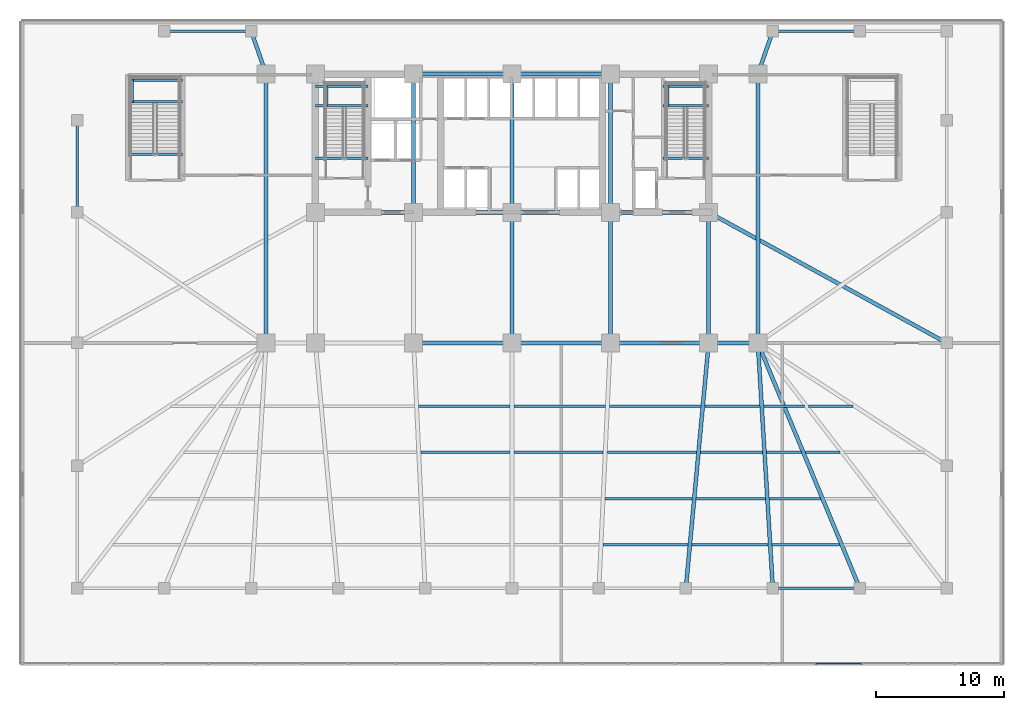
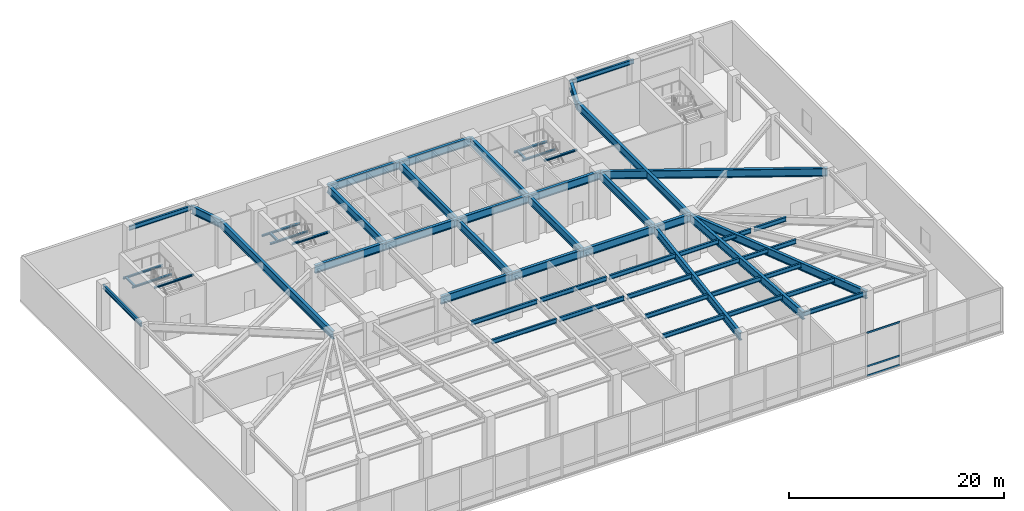
# One storey, part 9 of 19: 58 beams, 3 members, 1 element without a shape of its own.
"""IFC4 building model written with IfcOpenShell, lengths in metres."""

from ifc_helpers import new_model, si_unit, direction, frame, origin, origin_2d, place, context, subcontext, project, spatial, hollow_rectangle, i_section, extrude, material, material_profile, profile_set, type_object, element, aggregate, save


model = new_model("IFC4")

# Units and contexts
model_context = context("Model", 3, precision=1e-05, world=origin(), true_north=direction((0.0, 1.0)))
body_context = subcontext(model_context, "Body", "Model", "MODEL_VIEW")
ifc_project = project(units=[si_unit("LENGTHUNIT", "METRE"), si_unit("AREAUNIT", "SQUARE_METRE"), si_unit("VOLUMEUNIT", "CUBIC_METRE"), si_unit("PLANEANGLEUNIT", "RADIAN"), si_unit("MASSUNIT", "GRAM", prefix="KILO")], contexts=[model_context])

# Site, building, storey
site_placement = place(None, origin())
site = spatial("IfcSite", under=ifc_project, at=site_placement, CompositionType="ELEMENT")
building_placement = place(site_placement, origin())
building = spatial("IfcBuilding", under=site, at=building_placement, Name="Yelkora Congress Tower", CompositionType="ELEMENT")
storey_placement = place(building_placement, frame((0.0, 0.0, 5.199951171875)))
storey = spatial("IfcBuildingStorey", under=building, at=storey_placement, Name="L01", CompositionType="ELEMENT", Elevation=5.199951171875)

# Beams
ifc_material_1 = material(Name="Steel S460M", Category="steel")
ifc_material_profile_1 = material_profile(ifc_material_1, i_section(OverallWidth=0.302001953125, OverallDepth=0.909912109375, WebThickness=0.02099609375, FlangeThickness=0.0400390625, FilletRadius=0.030029296875, at=origin_2d()), Name="HEM 900")
ifc_profile_set_1 = profile_set([ifc_material_profile_1], Name="Steel S460M")
beam_type_1 = type_object("IfcBeamType", Name="BM-HALL-HEM900", PredefinedType="BEAM", material=ifc_profile_set_1)
beam_1_placement = place(storey_placement, frame((30.719970703125, 25.199951171875, 4.485107421875), z_axis=(1.0, 0.0, 0.0), x_axis=(0.0, 1.0, 0.0)))
element("IfcBeam", 1, at=beam_1_placement, inside=storey, type_object=beam_type_1, Name="L01 Spine Grid D Girder 3", PredefinedType="BEAM", context=body_context, shape_type="SweptSolid", body=[
    extrude(i_section(OverallWidth=0.302001953125, OverallDepth=0.909912109375, WebThickness=0.02099609375, FlangeThickness=0.0400390625, FilletRadius=0.030029296875, at=origin_2d()), origin(), (0.0, 0.0, 1.0), 7.679931640625),
])
beam_2_placement = place(storey_placement, frame((38.39990234375, 25.199951171875, 4.485107421875), z_axis=(1.0, 0.0, 0.0), x_axis=(0.0, 1.0, 0.0)))
element("IfcBeam", 2, at=beam_2_placement, inside=storey, type_object=beam_type_1, Name="L01 Spine Grid D Girder 4", PredefinedType="BEAM", context=body_context, shape_type="SweptSolid", body=[
    extrude(i_section(OverallWidth=0.302001953125, OverallDepth=0.909912109375, WebThickness=0.02099609375, FlangeThickness=0.0400390625, FilletRadius=0.030029296875, at=origin_2d()), origin(), (0.0, 0.0, 1.0), 7.68017578125),
])
beam_3_placement = place(storey_placement, frame((46.080078125, 25.199951171875, 4.485107421875), z_axis=(1.0, 0.0, 0.0), x_axis=(0.0, 1.0, 0.0)))
element("IfcBeam", 3, at=beam_3_placement, inside=storey, type_object=beam_type_1, Name="L01 Spine Grid D Girder 5", PredefinedType="BEAM", context=body_context, shape_type="SweptSolid", body=[
    extrude(i_section(OverallWidth=0.302001953125, OverallDepth=0.909912109375, WebThickness=0.02099609375, FlangeThickness=0.0400390625, FilletRadius=0.030029296875, at=origin_2d()), origin(), (0.0, 0.0, 1.0), 7.679931640625),
])
beam_4_placement = place(storey_placement, frame((53.760009765625, 25.199951171875, 4.485107421875), z_axis=(1.0, 0.0, 0.0), x_axis=(0.0, 1.0, 0.0)))
element("IfcBeam", 4, at=beam_4_placement, inside=storey, type_object=beam_type_1, Name="L01 Spine Grid D Girder 6", PredefinedType="BEAM", context=body_context, shape_type="SweptSolid", body=[
    extrude(i_section(OverallWidth=0.302001953125, OverallDepth=0.909912109375, WebThickness=0.02099609375, FlangeThickness=0.0400390625, FilletRadius=0.030029296875, at=origin_2d()), origin(), (0.0, 0.0, 1.0), 3.840087890625),
])
beam_5_placement = place(storey_placement, frame((30.719970703125, 46.199951171875, 4.485107421875), z_axis=(1.0, 0.0, 0.0), x_axis=(0.0, 1.0, 0.0)))
element("IfcBeam", 5, at=beam_5_placement, inside=storey, type_object=beam_type_1, Name="L01 Core North Girder 3", PredefinedType="BEAM", context=body_context, shape_type="SweptSolid", body=[
    extrude(i_section(OverallWidth=0.302001953125, OverallDepth=0.909912109375, WebThickness=0.02099609375, FlangeThickness=0.0400390625, FilletRadius=0.030029296875, at=origin_2d()), origin(), (0.0, 0.0, 1.0), 7.679931640625),
])
beam_6_placement = place(storey_placement, frame((38.39990234375, 46.199951171875, 4.485107421875), z_axis=(1.0, 0.0, 0.0), x_axis=(0.0, 1.0, 0.0)))
element("IfcBeam", 6, at=beam_6_placement, inside=storey, type_object=beam_type_1, Name="L01 Core North Girder 4", PredefinedType="BEAM", context=body_context, shape_type="SweptSolid", body=[
    extrude(i_section(OverallWidth=0.302001953125, OverallDepth=0.909912109375, WebThickness=0.02099609375, FlangeThickness=0.0400390625, FilletRadius=0.030029296875, at=origin_2d()), origin(), (0.0, 0.0, 1.0), 7.68017578125),
])
for number, where, z_axis, x_axis, name in (
    (7, (23.0400390625, 35.39990234375, 4.485107421875), (1.0, 0.0, 0.0), (0.0, 1.0, 0.0), "L01 Core South Girder 1"),
    (8, (30.719970703125, 35.39990234375, 4.485107421875), (1.0, 0.0, 0.0), (0.0, 1.0, 0.0), "L01 Core South Girder 2"),
):
    element("IfcBeam", number, at=place(storey_placement, frame(where, z_axis=z_axis, x_axis=x_axis)), inside=storey, type_object=beam_type_1, Name=name, PredefinedType="BEAM", context=body_context, shape_type="SweptSolid", body=[
        extrude(i_section(OverallWidth=0.302001953125, OverallDepth=0.909912109375, WebThickness=0.02099609375, FlangeThickness=0.0400390625, FilletRadius=0.030029296875, at=origin_2d()), origin(), (0.0, 0.0, 1.0), 7.679931640625),
    ])
beam_7_placement = place(storey_placement, frame((38.39990234375, 35.39990234375, 4.485107421875), z_axis=(1.0, 0.0, 0.0), x_axis=(0.0, 1.0, 0.0)))
element("IfcBeam", 9, at=beam_7_placement, inside=storey, type_object=beam_type_1, Name="L01 Core South Girder 3", PredefinedType="BEAM", context=body_context, shape_type="SweptSolid", body=[
    extrude(i_section(OverallWidth=0.302001953125, OverallDepth=0.909912109375, WebThickness=0.02099609375, FlangeThickness=0.0400390625, FilletRadius=0.030029296875, at=origin_2d()), origin(), (0.0, 0.0, 1.0), 7.68017578125),
])
beam_8_placement = place(storey_placement, frame((46.080078125, 35.39990234375, 4.485107421875), z_axis=(1.0, 0.0, 0.0), x_axis=(0.0, 1.0, 0.0)))
element("IfcBeam", 10, at=beam_8_placement, inside=storey, type_object=beam_type_1, Name="L01 Core South Girder 4", PredefinedType="BEAM", context=body_context, shape_type="SweptSolid", body=[
    extrude(i_section(OverallWidth=0.302001953125, OverallDepth=0.909912109375, WebThickness=0.02099609375, FlangeThickness=0.0400390625, FilletRadius=0.030029296875, at=origin_2d()), origin(), (0.0, 0.0, 1.0), 7.679931640625),
])
beam_9_placement = place(storey_placement, frame((30.719970703125, 35.39990234375, 4.485107421875), z_axis=(0.0, 1.0, 0.0), x_axis=(-1.0, 0.0, 0.0)))
element("IfcBeam", 11, at=beam_9_placement, inside=storey, type_object=beam_type_1, Name="L01 Core Tie Girder MC-S2", PredefinedType="BEAM", context=body_context, shape_type="SweptSolid", body=[
    extrude(i_section(OverallWidth=0.302001953125, OverallDepth=0.909912109375, WebThickness=0.02099609375, FlangeThickness=0.0400390625, FilletRadius=0.030029296875, at=origin_2d()), origin(), (0.0, 0.0, 1.0), 10.800048828125),
])
beam_10_placement = place(storey_placement, frame((38.39990234375, 25.199951171875, 4.485107421875), z_axis=(0.0, 1.0, 0.0), x_axis=(-1.0, 0.0, 0.0)))
element("IfcBeam", 12, at=beam_10_placement, inside=storey, type_object=beam_type_1, Name="L01 Core Tie Girder MC-D3", PredefinedType="BEAM", context=body_context, shape_type="SweptSolid", body=[
    extrude(i_section(OverallWidth=0.302001953125, OverallDepth=0.909912109375, WebThickness=0.02099609375, FlangeThickness=0.0400390625, FilletRadius=0.030029296875, at=origin_2d()), origin(), (0.0, 0.0, 1.0), 10.199951171875),
])
beam_11_placement = place(storey_placement, frame((38.39990234375, 35.39990234375, 4.485107421875), z_axis=(0.0, 1.0, 0.0), x_axis=(-1.0, 0.0, 0.0)))
element("IfcBeam", 13, at=beam_11_placement, inside=storey, type_object=beam_type_1, Name="L01 Core Tie Girder MC-S3", PredefinedType="BEAM", context=body_context, shape_type="SweptSolid", body=[
    extrude(i_section(OverallWidth=0.302001953125, OverallDepth=0.909912109375, WebThickness=0.02099609375, FlangeThickness=0.0400390625, FilletRadius=0.030029296875, at=origin_2d()), origin(), (0.0, 0.0, 1.0), 10.800048828125),
])
beam_12_placement = place(storey_placement, frame((46.080078125, 25.199951171875, 4.485107421875), z_axis=(0.0, 1.0, 0.0), x_axis=(-1.0, 0.0, 0.0)))
element("IfcBeam", 14, at=beam_12_placement, inside=storey, type_object=beam_type_1, Name="L01 Core Tie Girder MC-D4", PredefinedType="BEAM", context=body_context, shape_type="SweptSolid", body=[
    extrude(i_section(OverallWidth=0.302001953125, OverallDepth=0.909912109375, WebThickness=0.02099609375, FlangeThickness=0.0400390625, FilletRadius=0.030029296875, at=origin_2d()), origin(), (0.0, 0.0, 1.0), 10.199951171875),
])
beam_13_placement = place(storey_placement, frame((46.080078125, 35.39990234375, 4.485107421875), z_axis=(0.0, 1.0, 0.0), x_axis=(-1.0, 0.0, 0.0)))
element("IfcBeam", 15, at=beam_13_placement, inside=storey, type_object=beam_type_1, Name="L01 Core Tie Girder MC-S4", PredefinedType="BEAM", context=body_context, shape_type="SweptSolid", body=[
    extrude(i_section(OverallWidth=0.302001953125, OverallDepth=0.909912109375, WebThickness=0.02099609375, FlangeThickness=0.0400390625, FilletRadius=0.030029296875, at=origin_2d()), origin(), (0.0, 0.0, 1.0), 10.800048828125),
])
beam_14_placement = place(storey_placement, frame((53.760009765625, 25.199951171875, 4.485107421875), z_axis=(0.0, 1.0, 0.0), x_axis=(-1.0, 0.0, 0.0)))
element("IfcBeam", 16, at=beam_14_placement, inside=storey, type_object=beam_type_1, Name="L01 Core Tie Girder MC-D5", PredefinedType="BEAM", context=body_context, shape_type="SweptSolid", body=[
    extrude(i_section(OverallWidth=0.302001953125, OverallDepth=0.909912109375, WebThickness=0.02099609375, FlangeThickness=0.0400390625, FilletRadius=0.030029296875, at=origin_2d()), origin(), (0.0, 0.0, 1.0), 10.199951171875),
])
for number, where, z_axis, x_axis, name in (
    (17, (19.199951171875, 25.199951171875, 4.485107421875), (0.0, 1.0, 0.0), (-1.0, 0.0, 0.0), "L01 Neck Flank Girder MC-F1"),
    (18, (57.60009765625, 25.199951171875, 4.485107421875), (0.0, 1.0, 0.0), (-1.0, 0.0, 0.0), "L01 Neck Flank Girder MC-F2"),
):
    element("IfcBeam", number, at=place(storey_placement, frame(where, z_axis=z_axis, x_axis=x_axis)), inside=storey, type_object=beam_type_1, Name=name, PredefinedType="BEAM", context=body_context, shape_type="SweptSolid", body=[
        extrude(i_section(OverallWidth=0.302001953125, OverallDepth=0.909912109375, WebThickness=0.02099609375, FlangeThickness=0.0400390625, FilletRadius=0.030029296875, at=origin_2d()), origin(), (0.0, 0.0, 1.0), 21.0),
    ])
beam_15_placement = place(storey_placement, frame((18.030029296875, 49.550048828125, 4.485107421875), z_axis=(0.329694513381, -0.944087669577, 0.0), x_axis=(0.944087669577, 0.329694513381, 0.0)))
element("IfcBeam", 19, at=beam_15_placement, inside=storey, type_object=beam_type_1, Name="L01 Primary Frame Girder PN03", PredefinedType="BEAM", context=body_context, shape_type="SweptSolid", body=[
    extrude(i_section(OverallWidth=0.302001953125, OverallDepth=0.909912109375, WebThickness=0.02099609375, FlangeThickness=0.0400390625, FilletRadius=0.030029296875, at=origin_2d()), origin(), (0.0, 0.0, 1.0), 3.548583984375),
])
beam_16_placement = place(storey_placement, frame((51.97998046875, 6.050048828125, 4.485107421875), z_axis=(0.092553417869, 0.995707720589, 0.0), x_axis=(-0.995707720589, 0.092553417869, 0.0)))
element("IfcBeam", 20, at=beam_16_placement, inside=storey, type_object=beam_type_1, Name="L01 Primary Frame Girder PS08", PredefinedType="BEAM", context=body_context, shape_type="SweptSolid", body=[
    extrude(i_section(OverallWidth=0.302001953125, OverallDepth=0.909912109375, WebThickness=0.02099609375, FlangeThickness=0.0400390625, FilletRadius=0.030029296875, at=origin_2d()), origin(), (0.0, 0.0, 1.0), 19.232421875),
])
beam_17_placement = place(storey_placement, frame((58.77001953125, 6.050048828125, 4.485107421875), z_axis=(-0.060979146345, 0.99813904027, 0.0), x_axis=(-0.99813904027, -0.060979146345, 0.0)))
element("IfcBeam", 21, at=beam_17_placement, inside=storey, type_object=beam_type_1, Name="L01 Primary Frame Girder PS09", PredefinedType="BEAM", context=body_context, shape_type="SweptSolid", body=[
    extrude(i_section(OverallWidth=0.302001953125, OverallDepth=0.909912109375, WebThickness=0.02099609375, FlangeThickness=0.0400390625, FilletRadius=0.030029296875, at=origin_2d()), origin(), (0.0, 0.0, 1.0), 19.185546875),
])
beam_18_placement = place(storey_placement, frame((58.77001953125, 49.550048828125, 4.485107421875), z_axis=(-0.329694513381, -0.944087669577, 0.0), x_axis=(0.944087669577, -0.329694513381, 0.0)))
element("IfcBeam", 22, at=beam_18_placement, inside=storey, type_object=beam_type_1, Name="L01 Primary Frame Girder PN09", PredefinedType="BEAM", context=body_context, shape_type="SweptSolid", body=[
    extrude(i_section(OverallWidth=0.302001953125, OverallDepth=0.909912109375, WebThickness=0.02099609375, FlangeThickness=0.0400390625, FilletRadius=0.030029296875, at=origin_2d()), origin(), (0.0, 0.0, 1.0), 3.548583984375),
])
beam_19_placement = place(storey_placement, frame((65.56005859375, 6.050048828125, 4.485107421875), z_axis=(-0.383827816401, 0.923404682334, 0.0), x_axis=(-0.923404682334, -0.383827816401, 0.0)))
element("IfcBeam", 23, at=beam_19_placement, inside=storey, type_object=beam_type_1, Name="L01 Primary Frame Girder PS10", PredefinedType="BEAM", context=body_context, shape_type="SweptSolid", body=[
    extrude(i_section(OverallWidth=0.302001953125, OverallDepth=0.909912109375, WebThickness=0.02099609375, FlangeThickness=0.0400390625, FilletRadius=0.030029296875, at=origin_2d()), origin(), (0.0, 0.0, 1.0), 20.73828125),
])
beam_20_placement = place(storey_placement, frame((72.35009765625, 25.199951171875, 4.485107421875), z_axis=(-0.876705282536, 0.48102790727, 0.0), x_axis=(-0.48102790727, -0.876705282536, 0.0)))
element("IfcBeam", 24, at=beam_20_placement, inside=storey, type_object=beam_type_1, Name="L01 Primary Frame Girder PE2", PredefinedType="BEAM", context=body_context, shape_type="SweptSolid", body=[
    extrude(i_section(OverallWidth=0.302001953125, OverallDepth=0.909912109375, WebThickness=0.02099609375, FlangeThickness=0.0400390625, FilletRadius=0.030029296875, at=origin_2d()), origin(), (0.0, 0.0, 1.0), 21.20458984375),
])
ifc_material_2 = material(Name="Steel S355J2", Category="steel")
ifc_material_profile_2 = material_profile(ifc_material_2, i_section(OverallWidth=0.199951171875, OverallDepth=0.5, WebThickness=0.01025390625, FlangeThickness=0.01611328125, FilletRadius=0.02099609375, at=origin_2d()), Name="IPE 500")
ifc_profile_set_2 = profile_set([ifc_material_profile_2], Name="Steel S355J2")
beam_type_2 = type_object("IfcBeamType", Name="BM-JOIST-IPE500", PredefinedType="JOIST", material=ifc_profile_set_2)
beam_21_placement = place(storey_placement, frame((45.508056640625, 9.449951171875, 4.68994140625), z_axis=(1.0, 0.0, 0.0), x_axis=(0.0, 1.0, 0.0)))
element("IfcBeam", 25, at=beam_21_placement, inside=storey, type_object=beam_type_2, Name="L01 Composite Floor Joist 7", PredefinedType="JOIST", context=body_context, shape_type="SweptSolid", body=[
    extrude(i_section(OverallWidth=0.199951171875, OverallDepth=0.5, WebThickness=0.01025390625, FlangeThickness=0.01611328125, FilletRadius=0.02099609375, at=origin_2d()), origin(), (0.0, 0.0, 1.0), 6.6279296875),
])
beam_22_placement = place(storey_placement, frame((52.4560546875, 9.449951171875, 4.68994140625), z_axis=(1.0, 0.0, 0.0), x_axis=(0.0, 1.0, 0.0)))
element("IfcBeam", 26, at=beam_22_placement, inside=storey, type_object=beam_type_2, Name="L01 Composite Floor Joist 8", PredefinedType="JOIST", context=body_context, shape_type="SweptSolid", body=[
    extrude(i_section(OverallWidth=0.199951171875, OverallDepth=0.5, WebThickness=0.01025390625, FlangeThickness=0.01611328125, FilletRadius=0.02099609375, at=origin_2d()), origin(), (0.0, 0.0, 1.0), 5.9462890625),
])
beam_23_placement = place(storey_placement, frame((58.722412109375, 9.449951171875, 4.68994140625), z_axis=(1.0, 0.0, 0.0), x_axis=(0.0, 1.0, 0.0)))
element("IfcBeam", 27, at=beam_23_placement, inside=storey, type_object=beam_type_2, Name="L01 Composite Floor Joist 9", PredefinedType="JOIST", context=body_context, shape_type="SweptSolid", body=[
    extrude(i_section(OverallWidth=0.199951171875, OverallDepth=0.5, WebThickness=0.01025390625, FlangeThickness=0.01611328125, FilletRadius=0.02099609375, at=origin_2d()), origin(), (0.0, 0.0, 1.0), 5.264404296875),
])
beam_24_placement = place(storey_placement, frame((45.67529296875, 13.050048828125, 4.68994140625), z_axis=(1.0, 0.0, 0.0), x_axis=(0.0, 1.0, 0.0)))
element("IfcBeam", 28, at=beam_24_placement, inside=storey, type_object=beam_type_2, Name="L01 Composite Floor Joist 17", PredefinedType="JOIST", context=body_context, shape_type="SweptSolid", body=[
    extrude(i_section(OverallWidth=0.199951171875, OverallDepth=0.5, WebThickness=0.01025390625, FlangeThickness=0.01611328125, FilletRadius=0.02099609375, at=origin_2d()), origin(), (0.0, 0.0, 1.0), 6.79541015625),
])
beam_25_placement = place(storey_placement, frame((52.790771484375, 13.050048828125, 4.68994140625), z_axis=(1.0, 0.0, 0.0), x_axis=(0.0, 1.0, 0.0)))
element("IfcBeam", 29, at=beam_25_placement, inside=storey, type_object=beam_type_2, Name="L01 Composite Floor Joist 18", PredefinedType="JOIST", context=body_context, shape_type="SweptSolid", body=[
    extrude(i_section(OverallWidth=0.199951171875, OverallDepth=0.5, WebThickness=0.01025390625, FlangeThickness=0.01611328125, FilletRadius=0.02099609375, at=origin_2d()), origin(), (0.0, 0.0, 1.0), 5.3916015625),
])
beam_26_placement = place(storey_placement, frame((58.502197265625, 13.050048828125, 4.68994140625), z_axis=(1.0, 0.0, 0.0), x_axis=(0.0, 1.0, 0.0)))
element("IfcBeam", 30, at=beam_26_placement, inside=storey, type_object=beam_type_2, Name="L01 Composite Floor Joist 19", PredefinedType="JOIST", context=body_context, shape_type="SweptSolid", body=[
    extrude(i_section(OverallWidth=0.199951171875, OverallDepth=0.5, WebThickness=0.01025390625, FlangeThickness=0.01611328125, FilletRadius=0.02099609375, at=origin_2d()), origin(), (0.0, 0.0, 1.0), 3.988037109375),
])
for number, where, z_axis, x_axis, name in (
    (31, (31.27734375, 16.64990234375, 4.68994140625), (1.0, 0.0, 0.0), (0.0, 1.0, 0.0), "L01 Composite Floor Joist 25"),
    (32, (38.56005859375, 16.64990234375, 4.68994140625), (1.0, 0.0, 0.0), (0.0, 1.0, 0.0), "L01 Composite Floor Joist 26"),
):
    element("IfcBeam", number, at=place(storey_placement, frame(where, z_axis=z_axis, x_axis=x_axis)), inside=storey, type_object=beam_type_2, Name=name, PredefinedType="JOIST", context=body_context, shape_type="SweptSolid", body=[
        extrude(i_section(OverallWidth=0.199951171875, OverallDepth=0.5, WebThickness=0.01025390625, FlangeThickness=0.01611328125, FilletRadius=0.02099609375, at=origin_2d()), origin(), (0.0, 0.0, 1.0), 6.962646484375),
    ])
beam_27_placement = place(storey_placement, frame((45.842529296875, 16.64990234375, 4.68994140625), z_axis=(1.0, 0.0, 0.0), x_axis=(0.0, 1.0, 0.0)))
element("IfcBeam", 33, at=beam_27_placement, inside=storey, type_object=beam_type_2, Name="L01 Composite Floor Joist 27", PredefinedType="JOIST", context=body_context, shape_type="SweptSolid", body=[
    extrude(i_section(OverallWidth=0.199951171875, OverallDepth=0.5, WebThickness=0.01025390625, FlangeThickness=0.01611328125, FilletRadius=0.02099609375, at=origin_2d()), origin(), (0.0, 0.0, 1.0), 6.962890625),
])
beam_28_placement = place(storey_placement, frame((53.125244140625, 16.64990234375, 4.68994140625), z_axis=(1.0, 0.0, 0.0), x_axis=(0.0, 1.0, 0.0)))
element("IfcBeam", 34, at=beam_28_placement, inside=storey, type_object=beam_type_2, Name="L01 Composite Floor Joist 28", PredefinedType="JOIST", context=body_context, shape_type="SweptSolid", body=[
    extrude(i_section(OverallWidth=0.199951171875, OverallDepth=0.5, WebThickness=0.01025390625, FlangeThickness=0.01611328125, FilletRadius=0.02099609375, at=origin_2d()), origin(), (0.0, 0.0, 1.0), 4.837158203125),
])
for number, where, z_axis, x_axis, name in (
    (35, (58.282470703125, 16.64990234375, 4.68994140625), (1.0, 0.0, 0.0), (0.0, 1.0, 0.0), "L01 Composite Floor Joist 29"),
    (36, (61.31396484375, 16.64990234375, 4.68994140625), (1.0, 0.0, 0.0), (0.0, 1.0, 0.0), "L01 Composite Floor Joist 30"),
):
    element("IfcBeam", number, at=place(storey_placement, frame(where, z_axis=z_axis, x_axis=x_axis)), inside=storey, type_object=beam_type_2, Name=name, PredefinedType="JOIST", context=body_context, shape_type="SweptSolid", body=[
        extrude(i_section(OverallWidth=0.199951171875, OverallDepth=0.5, WebThickness=0.01025390625, FlangeThickness=0.01611328125, FilletRadius=0.02099609375, at=origin_2d()), origin(), (0.0, 0.0, 1.0), 2.71142578125),
    ])
for number, where, z_axis, x_axis, name in (
    (37, (31.110107421875, 20.25, 4.68994140625), (1.0, 0.0, 0.0), (0.0, 1.0, 0.0), "L01 Composite Floor Joist 36"),
    (38, (38.56005859375, 20.25, 4.68994140625), (1.0, 0.0, 0.0), (0.0, 1.0, 0.0), "L01 Composite Floor Joist 37"),
    (39, (46.010009765625, 20.25, 4.68994140625), (1.0, 0.0, 0.0), (0.0, 1.0, 0.0), "L01 Composite Floor Joist 38"),
):
    element("IfcBeam", number, at=place(storey_placement, frame(where, z_axis=z_axis, x_axis=x_axis)), inside=storey, type_object=beam_type_2, Name=name, PredefinedType="JOIST", context=body_context, shape_type="SweptSolid", body=[
        extrude(i_section(OverallWidth=0.199951171875, OverallDepth=0.5, WebThickness=0.01025390625, FlangeThickness=0.01611328125, FilletRadius=0.02099609375, at=origin_2d()), origin(), (0.0, 0.0, 1.0), 7.1298828125),
    ])
beam_29_placement = place(storey_placement, frame((53.4599609375, 20.25, 4.68994140625), z_axis=(1.0, 0.0, 0.0), x_axis=(0.0, 1.0, 0.0)))
element("IfcBeam", 40, at=beam_29_placement, inside=storey, type_object=beam_type_2, Name="L01 Composite Floor Joist 39", PredefinedType="JOIST", context=body_context, shape_type="SweptSolid", body=[
    extrude(i_section(OverallWidth=0.199951171875, OverallDepth=0.5, WebThickness=0.01025390625, FlangeThickness=0.01611328125, FilletRadius=0.02099609375, at=origin_2d()), origin(), (0.0, 0.0, 1.0), 4.282470703125),
])
beam_30_placement = place(storey_placement, frame((58.0625, 20.25, 4.68994140625), z_axis=(1.0, 0.0, 0.0), x_axis=(0.0, 1.0, 0.0)))
element("IfcBeam", 41, at=beam_30_placement, inside=storey, type_object=beam_type_2, Name="L01 Composite Floor Joist 40", PredefinedType="JOIST", context=body_context, shape_type="SweptSolid", body=[
    extrude(i_section(OverallWidth=0.199951171875, OverallDepth=0.5, WebThickness=0.01025390625, FlangeThickness=0.01611328125, FilletRadius=0.02099609375, at=origin_2d()), origin(), (0.0, 0.0, 1.0), 3.190185546875),
])
beam_31_placement = place(storey_placement, frame((61.57275390625, 20.25, 4.68994140625), z_axis=(1.0, 0.0, 0.0), x_axis=(0.0, 1.0, 0.0)))
element("IfcBeam", 42, at=beam_31_placement, inside=storey, type_object=beam_type_2, Name="L01 Composite Floor Joist 41", PredefinedType="JOIST", context=body_context, shape_type="SweptSolid", body=[
    extrude(i_section(OverallWidth=0.199951171875, OverallDepth=0.5, WebThickness=0.01025390625, FlangeThickness=0.01611328125, FilletRadius=0.02099609375, at=origin_2d()), origin(), (0.0, 0.0, 1.0), 3.47265625),
])
ifc_material_profile_3 = material_profile(ifc_material_2, i_section(OverallWidth=0.199951171875, OverallDepth=0.18994140625, WebThickness=0.006591796875, FlangeThickness=0.010009765625, FilletRadius=0.01806640625, at=origin_2d()), Name="HEA 200")
ifc_profile_set_3 = profile_set([ifc_material_profile_3], Name="Steel S355J2")
beam_type_3 = type_object("IfcBeamType", Name="BM-LAND-HEA200", PredefinedType="BEAM", material=ifc_profile_set_3)
for number, where, z_axis, x_axis, name in (
    (43, (23.0400390625, 43.739990234375, 2.28466796875), (1.0, 0.0, 0.0), (0.0, 1.0, 0.0), "ST-01 L01 Landing Header Beam 1S"),
    (44, (23.0400390625, 45.25, 2.28466796875), (1.0, 0.0, 0.0), (0.0, 1.0, 0.0), "ST-01 L01 Landing Header Beam 1N"),
):
    element("IfcBeam", number, at=place(storey_placement, frame(where, z_axis=z_axis, x_axis=x_axis)), inside=storey, type_object=beam_type_3, Name=name, PredefinedType="BEAM", context=body_context, shape_type="SweptSolid", body=[
        extrude(i_section(OverallWidth=0.199951171875, OverallDepth=0.18994140625, WebThickness=0.006591796875, FlangeThickness=0.010009765625, FilletRadius=0.01806640625, at=origin_2d()), origin(), (0.0, 0.0, 1.0), 4.10986328125),
    ])
beam_32_placement = place(storey_placement, frame((23.93994140625, 43.739990234375, 2.28466796875), z_axis=(0.0, 1.0, 0.0), x_axis=(-1.0, 0.0, 0.0)))
element("IfcBeam", 45, at=beam_32_placement, inside=storey, type_object=beam_type_3, Name="ST-01 L01 Landing Trimmer Beam 1M", PredefinedType="BEAM", context=body_context, shape_type="SweptSolid", body=[
    extrude(i_section(OverallWidth=0.199951171875, OverallDepth=0.18994140625, WebThickness=0.006591796875, FlangeThickness=0.010009765625, FilletRadius=0.01806640625, at=origin_2d()), origin(), (0.0, 0.0, 1.0), 1.510009765625),
])
beam_33_placement = place(storey_placement, frame((23.0400390625, 39.639892578125, 4.7431640625), z_axis=(1.0, 0.0, 0.0), x_axis=(0.0, 1.0, 0.0)))
element("IfcBeam", 46, at=beam_33_placement, inside=storey, type_object=beam_type_3, Name="ST-01 L01 Floor Arrival Stringer Header Beam", PredefinedType="BEAM", context=body_context, shape_type="SweptSolid", body=[
    extrude(i_section(OverallWidth=0.199951171875, OverallDepth=0.18994140625, WebThickness=0.006591796875, FlangeThickness=0.010009765625, FilletRadius=0.01806640625, at=origin_2d()), origin(), (0.0, 0.0, 1.0), 4.10986328125),
])
for number, where, z_axis, x_axis, name in (
    (47, (50.179931640625, 43.739990234375, 2.28466796875), (1.0, 0.0, 0.0), (0.0, 1.0, 0.0), "ST-02 L01 Landing Header Beam 1S"),
    (48, (50.179931640625, 45.25, 2.28466796875), (1.0, 0.0, 0.0), (0.0, 1.0, 0.0), "ST-02 L01 Landing Header Beam 1N"),
):
    element("IfcBeam", number, at=place(storey_placement, frame(where, z_axis=z_axis, x_axis=x_axis)), inside=storey, type_object=beam_type_3, Name=name, PredefinedType="BEAM", context=body_context, shape_type="SweptSolid", body=[
        extrude(i_section(OverallWidth=0.199951171875, OverallDepth=0.18994140625, WebThickness=0.006591796875, FlangeThickness=0.010009765625, FilletRadius=0.01806640625, at=origin_2d()), origin(), (0.0, 0.0, 1.0), 3.580078125),
    ])
beam_34_placement = place(storey_placement, frame((50.580078125, 43.739990234375, 2.28466796875), z_axis=(0.0, 1.0, 0.0), x_axis=(-1.0, 0.0, 0.0)))
element("IfcBeam", 49, at=beam_34_placement, inside=storey, type_object=beam_type_3, Name="ST-02 L01 Landing Trimmer Beam 1M", PredefinedType="BEAM", context=body_context, shape_type="SweptSolid", body=[
    extrude(i_section(OverallWidth=0.199951171875, OverallDepth=0.18994140625, WebThickness=0.006591796875, FlangeThickness=0.010009765625, FilletRadius=0.01806640625, at=origin_2d()), origin(), (0.0, 0.0, 1.0), 1.510009765625),
])
beam_35_placement = place(storey_placement, frame((50.179931640625, 39.639892578125, 4.7431640625), z_axis=(1.0, 0.0, 0.0), x_axis=(0.0, 1.0, 0.0)))
element("IfcBeam", 50, at=beam_35_placement, inside=storey, type_object=beam_type_3, Name="ST-02 L01 Floor Arrival Stringer Header Beam", PredefinedType="BEAM", context=body_context, shape_type="SweptSolid", body=[
    extrude(i_section(OverallWidth=0.199951171875, OverallDepth=0.18994140625, WebThickness=0.006591796875, FlangeThickness=0.010009765625, FilletRadius=0.01806640625, at=origin_2d()), origin(), (0.0, 0.0, 1.0), 3.580078125),
])
for number, where, z_axis, x_axis, name in (
    (51, (8.39990234375, 44.0400390625, 2.28466796875), (1.0, 0.0, 0.0), (0.0, 1.0, 0.0), "ST-P1 L01 Landing Header Beam 1S"),
    (52, (8.39990234375, 45.72998046875, 2.28466796875), (1.0, 0.0, 0.0), (0.0, 1.0, 0.0), "ST-P1 L01 Landing Header Beam 1N"),
):
    element("IfcBeam", number, at=place(storey_placement, frame(where, z_axis=z_axis, x_axis=x_axis)), inside=storey, type_object=beam_type_3, Name=name, PredefinedType="BEAM", context=body_context, shape_type="SweptSolid", body=[
        extrude(i_section(OverallWidth=0.199951171875, OverallDepth=0.18994140625, WebThickness=0.006591796875, FlangeThickness=0.010009765625, FilletRadius=0.01806640625, at=origin_2d()), origin(), (0.0, 0.0, 1.0), 4.260009765625),
    ])
beam_36_placement = place(storey_placement, frame((8.719970703125, 44.0400390625, 2.28466796875), z_axis=(0.0, 1.0, 0.0), x_axis=(-1.0, 0.0, 0.0)))
element("IfcBeam", 53, at=beam_36_placement, inside=storey, type_object=beam_type_3, Name="ST-P1 L01 Landing Trimmer Beam 1M", PredefinedType="BEAM", context=body_context, shape_type="SweptSolid", body=[
    extrude(i_section(OverallWidth=0.199951171875, OverallDepth=0.18994140625, WebThickness=0.006591796875, FlangeThickness=0.010009765625, FilletRadius=0.01806640625, at=origin_2d()), origin(), (0.0, 0.0, 1.0), 1.68994140625),
])
beam_37_placement = place(storey_placement, frame((8.39990234375, 39.93994140625, 4.7431640625), z_axis=(1.0, 0.0, 0.0), x_axis=(0.0, 1.0, 0.0)))
element("IfcBeam", 54, at=beam_37_placement, inside=storey, type_object=beam_type_3, Name="ST-P1 L01 Floor Arrival Stringer Header Beam", PredefinedType="BEAM", context=body_context, shape_type="SweptSolid", body=[
    extrude(i_section(OverallWidth=0.199951171875, OverallDepth=0.18994140625, WebThickness=0.006591796875, FlangeThickness=0.010009765625, FilletRadius=0.01806640625, at=origin_2d()), origin(), (0.0, 0.0, 1.0), 4.260009765625),
])
ifc_material_profile_4 = material_profile(ifc_material_2, i_section(OverallWidth=0.199951171875, OverallDepth=0.5, WebThickness=0.01025390625, FlangeThickness=0.01611328125, FilletRadius=0.02099609375, at=origin_2d()), Name="IPE 500")
ifc_profile_set_4 = profile_set([ifc_material_profile_4], Name="Steel S355J2")
beam_type_4 = type_object("IfcBeamType", Name="BM-SPAN-IPE500B", PredefinedType="BEAM", material=ifc_profile_set_4)
for number, where, z_axis, x_axis, name in (
    (55, (58.77001953125, 6.050048828125, 4.68994140625), (1.0, 0.0, 0.0), (0.0, 1.0, 0.0), "L01 Perimeter Beam 10"),
    (56, (65.56005859375, 49.550048828125, 4.68994140625), (-1.0, 0.0, 0.0), (0.0, -1.0, 0.0), "L01 Perimeter Beam 18"),
    (57, (18.030029296875, 49.550048828125, 4.68994140625), (-1.0, 0.0, 0.0), (0.0, -1.0, 0.0), "L01 Perimeter Beam 20"),
):
    element("IfcBeam", number, at=place(storey_placement, frame(where, z_axis=z_axis, x_axis=x_axis)), inside=storey, type_object=beam_type_4, Name=name, PredefinedType="BEAM", context=body_context, shape_type="SweptSolid", body=[
        extrude(i_section(OverallWidth=0.199951171875, OverallDepth=0.5, WebThickness=0.01025390625, FlangeThickness=0.01611328125, FilletRadius=0.02099609375, at=origin_2d()), origin(), (0.0, 0.0, 1.0), 6.7900390625),
    ])
beam_38_placement = place(storey_placement, frame((4.449951171875, 42.60009765625, 4.68994140625), z_axis=(0.0, -1.0, 0.0), x_axis=(1.0, 0.0, 0.0)))
element("IfcBeam", 58, at=beam_38_placement, inside=storey, type_object=beam_type_4, Name="L01 Perimeter Beam 22", PredefinedType="BEAM", context=body_context, shape_type="SweptSolid", body=[
    extrude(i_section(OverallWidth=0.199951171875, OverallDepth=0.5, WebThickness=0.01025390625, FlangeThickness=0.01611328125, FilletRadius=0.02099609375, at=origin_2d()), origin(), (0.0, 0.0, 1.0), 7.2001953125),
])

# Curtain wall, members
ifc_material_3 = material(Name="Anodised aluminium and insulated glass", Category="aluminium")
curtain_wall_type = type_object("IfcCurtainWallType", Name="CW-SYS-POD", PredefinedType="NOTDEFINED", material=ifc_material_3)
curtain_wall_placement = place(storey_placement, origin())
curtain_wall = element("IfcCurtainWall", 59, at=curtain_wall_placement, inside=storey, type_object=curtain_wall_type, Name="L01 Podium South Curtain Wall", PredefinedType="NOTDEFINED")
ifc_material_4 = material(Name="Anodised aluminium 6063-T6", Category="aluminium")
ifc_material_profile_5 = material_profile(ifc_material_4, hollow_rectangle(XDim=0.070068359375, YDim=0.18994140625, WallThickness=0.00390625, at=origin_2d()), Name="ALU 70x190x4")
ifc_profile_set_5 = profile_set([ifc_material_profile_5], Name="Anodised aluminium 6063-T6")
member_type = type_object("IfcMemberType", Name="MEM-TR-POD", PredefinedType="USERDEFINED", material=ifc_profile_set_5)
member_1_placement = place(storey_placement, frame((65.6767578125, 0.159912109375, 0.03515625), z_axis=(-1.0, 0.0, 0.0), x_axis=(0.0, -1.0, 0.0)))
member_1 = element("IfcMember", 60, at=member_1_placement, type_object=member_type, Name="CW-POD transom 4.1", ObjectType="TRANSOM", PredefinedType="USERDEFINED", context=body_context, shape_type="SweptSolid", body=[
    extrude(hollow_rectangle(XDim=0.070068359375, YDim=0.18994140625, WallThickness=0.00390625, at=origin_2d()), origin(), (0.0, 0.0, 1.0), 3.56689453125),
])
member_2_placement = place(storey_placement, frame((65.6767578125, 0.159912109375, 1.10009765625), z_axis=(-1.0, 0.0, 0.0), x_axis=(0.0, -1.0, 0.0)))
member_2 = element("IfcMember", 61, at=member_2_placement, type_object=member_type, Name="CW-POD transom 4.2", ObjectType="TRANSOM", PredefinedType="USERDEFINED", context=body_context, shape_type="SweptSolid", body=[
    extrude(hollow_rectangle(XDim=0.070068359375, YDim=0.18994140625, WallThickness=0.00390625, at=origin_2d()), origin(), (0.0, 0.0, 1.0), 3.56689453125),
])
member_3_placement = place(storey_placement, frame((65.6767578125, 0.159912109375, 4.905029296875), z_axis=(-1.0, 0.0, 0.0), x_axis=(0.0, -1.0, 0.0)))
member_3 = element("IfcMember", 62, at=member_3_placement, type_object=member_type, Name="CW-POD transom 4.3", ObjectType="TRANSOM", PredefinedType="USERDEFINED", context=body_context, shape_type="SweptSolid", body=[
    extrude(hollow_rectangle(XDim=0.070068359375, YDim=0.18994140625, WallThickness=0.00390625, at=origin_2d()), origin(), (0.0, 0.0, 1.0), 3.56689453125),
])
aggregate(curtain_wall, [member_1, member_2, member_3])

save(model, "model.ifc")
